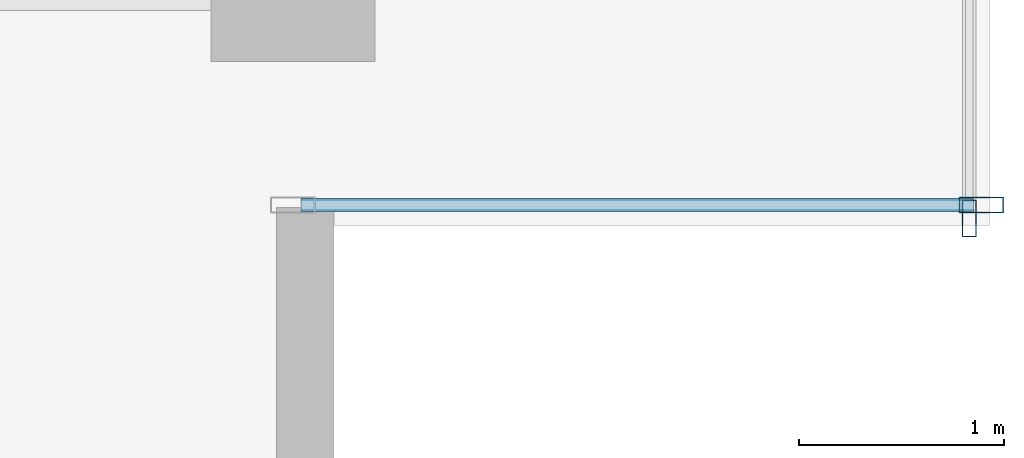
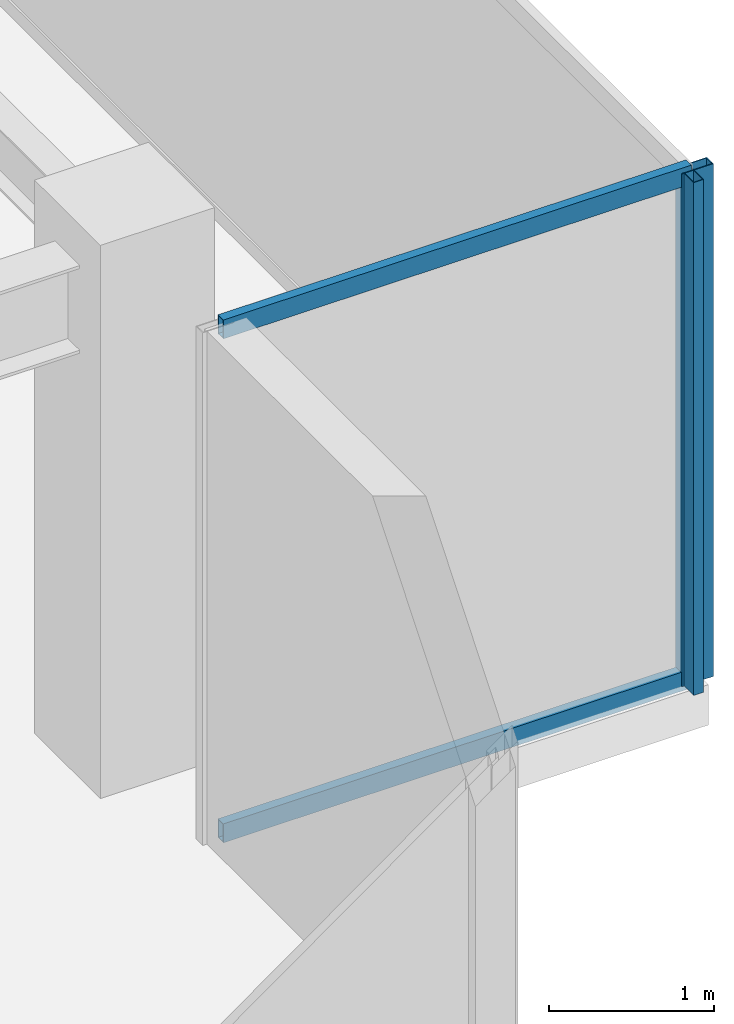
# One storey, part 22 of 33: 4 members, 2 elements without a shape of their own.
"""IFC4 building model written with IfcOpenShell, lengths in metres."""

from ifc_helpers import new_model, si_unit, direction, frame, origin, origin_2d, place, context, subcontext, project, spatial, hollow_rectangle, extrude, source, transform, mapped, material, layer, layer_set, material_profile, profile_set, type_object, type_shapes, element, aggregate, save


model = new_model("IFC4")

# Units and contexts
model_context = context("Model", 3, precision=1e-05, world=origin(), true_north=direction((0.0, 1.0)))
body_context = subcontext(model_context, "Body", "Model", "MODEL_VIEW")
ifc_project = project(units=[si_unit("LENGTHUNIT", "METRE"), si_unit("AREAUNIT", "SQUARE_METRE"), si_unit("VOLUMEUNIT", "CUBIC_METRE"), si_unit("PLANEANGLEUNIT", "RADIAN"), si_unit("MASSUNIT", "GRAM", prefix="KILO")], contexts=[model_context])

# Site, building, storey
site_placement = place(None, origin())
site = spatial("IfcSite", under=ifc_project, at=site_placement, CompositionType="ELEMENT")
building_placement = place(site_placement, origin())
building = spatial("IfcBuilding", under=site, at=building_placement, Name="Haelvirn Gate Laboratories", CompositionType="ELEMENT")
storey_placement = place(building_placement, frame((0.0, 0.0, 209.60009765625)))
storey = spatial("IfcBuildingStorey", under=building, at=storey_placement, Name="L50", CompositionType="ELEMENT", Elevation=209.60009765625)

# Curtain wall, members
ifc_material_1 = material(Name="Anodised bronze unitised aluminium & triple low-E glass", Category="aluminium")
ifc_layer_1 = layer(ifc_material_1, 0.181884765625, Name="CW-SYS-5")
ifc_layer_set_1 = layer_set([ifc_layer_1], Name="Anodised bronze unitised aluminium & triple low-E glass")
curtain_wall_type_1 = type_object("IfcCurtainWallType", Name="CW-SYS-5", PredefinedType="NOTDEFINED", material=ifc_layer_set_1)
curtain_wall_1_placement = place(storey_placement, origin())
curtain_wall_1 = element("IfcCurtainWall", 1, at=curtain_wall_1_placement, inside=storey, type_object=curtain_wall_type_1, Name="L50 Unitised Curtain Wall CW-L50-P0-E06-1", PredefinedType="NOTDEFINED")
ifc_material_2 = material(Name="Extruded aluminium 6063-T6 (anodised bronze)", Category="aluminium")
ifc_material_profile_1 = material_profile(ifc_material_2, hollow_rectangle(XDim=0.06494140625, YDim=0.139892578125, WallThickness=0.00390625, at=origin_2d()), Name="CWT-140x65x4")
ifc_profile_set_1 = profile_set([ifc_material_profile_1], Name="Extruded aluminium 6063-T6 (anodised bronze)")
member_type_1 = type_object("IfcMemberType", Name="CWT-T140", PredefinedType="USERDEFINED", material=ifc_profile_set_1)
shared_shape_1 = source(origin(), body_context, "Body", "SweptSolid", [
    extrude(hollow_rectangle(XDim=0.06494140625, YDim=0.139892578125, WallThickness=0.00390625, at=origin_2d()), origin(), (0.0, 0.0, 1.0), 3.280029296875),
])
type_shapes(member_type_1, [shared_shape_1])
member_1_placement = place(storey_placement, frame((67.43994140625, 5.89990234375, 0.032470703125), z_axis=(1.0, 0.0, 0.0), x_axis=(0.0, 1.0, 0.0)))
member_1 = element("IfcMember", 2, at=member_1_placement, type_object=member_type_1, Name="CW5 transom 1.1", ObjectType="TRANSOM", PredefinedType="USERDEFINED", context=body_context, shape_type="MappedRepresentation", body=[
    mapped(shared_shape_1, transform((0.0, 0.0, 0.0), scale=1.0)),
])
member_2_placement = place(storey_placement, frame((67.43994140625, 5.89990234375, 3.767333984375), z_axis=(1.0, 0.0, 0.0), x_axis=(0.0, 1.0, 0.0)))
member_2 = element("IfcMember", 3, at=member_2_placement, type_object=member_type_1, Name="CW5 transom 1.2", ObjectType="TRANSOM", PredefinedType="USERDEFINED", context=body_context, shape_type="MappedRepresentation", body=[
    mapped(shared_shape_1, transform((0.0, 0.0, 0.0), scale=1.0)),
])

# Curtain wall, member
ifc_layer_2 = layer(ifc_material_1, 0.176025390625, Name="CW-SYS-4")
ifc_layer_set_2 = layer_set([ifc_layer_2], Name="Anodised bronze unitised aluminium & triple low-E glass")
curtain_wall_type_2 = type_object("IfcCurtainWallType", Name="CW-SYS-4", PredefinedType="NOTDEFINED", material=ifc_layer_set_2)
curtain_wall_2_placement = place(storey_placement, origin())
curtain_wall_2 = element("IfcCurtainWall", 4, at=curtain_wall_2_placement, inside=storey, type_object=curtain_wall_type_2, Name="L50 Unitised Curtain Wall CW-L50-P0-E07", PredefinedType="NOTDEFINED")
ifc_material_profile_2 = material_profile(ifc_material_2, hollow_rectangle(XDim=0.070068359375, YDim=0.179931640625, WallThickness=0.0048828125, at=origin_2d()), Name="CWM-180x70x5")
ifc_profile_set_2 = profile_set([ifc_material_profile_2], Name="Extruded aluminium 6063-T6 (anodised bronze)")
member_type_2 = type_object("IfcMemberType", Name="CWM-T180", PredefinedType="MULLION", material=ifc_profile_set_2)
shared_shape_2 = source(origin(), body_context, "Body", "SweptSolid", [
    extrude(hollow_rectangle(XDim=0.070068359375, YDim=0.179931640625, WallThickness=0.0048828125, at=origin_2d()), origin(), (0.0, 0.0, 1.0), 3.7998046875),
])
type_shapes(member_type_2, [shared_shape_2])
member_3_placement = place(storey_placement, frame((70.699951171875, 5.8349609375, 0.0), z_axis=(0.0, 0.0, 1.0), x_axis=(-1.0, 0.0, 0.0)))
member_3 = element("IfcMember", 5, at=member_3_placement, type_object=member_type_2, Name="CW4 mullion 1", PredefinedType="MULLION", context=body_context, shape_type="MappedRepresentation", body=[
    mapped(shared_shape_2, transform((0.0, 0.0, 0.0), scale=1.0)),
])
aggregate(curtain_wall_2, [member_3])

# Member
ifc_material_profile_3 = material_profile(ifc_material_2, hollow_rectangle(XDim=0.080078125, YDim=0.219970703125, WallThickness=0.006103515625, at=origin_2d()), Name="CWM-220x80x6")
ifc_profile_set_3 = profile_set([ifc_material_profile_3], Name="Extruded aluminium 6063-T6 (anodised bronze)")
member_type_3 = type_object("IfcMemberType", Name="CWM-T220", PredefinedType="MULLION", material=ifc_profile_set_3)
shared_shape_3 = source(origin(), body_context, "Body", "SweptSolid", [
    extrude(hollow_rectangle(XDim=0.080078125, YDim=0.219970703125, WallThickness=0.006103515625, at=origin_2d()), origin(), (0.0, 0.0, 1.0), 3.7998046875),
])
type_shapes(member_type_3, [shared_shape_3])
member_4_placement = place(storey_placement, frame((70.760009765625, 5.89990234375, 0.0), z_axis=(0.0, 0.0, 1.0), x_axis=(0.0, 1.0, 0.0)))
member_4 = element("IfcMember", 6, at=member_4_placement, type_object=member_type_3, Name="CW5 mullion 2", PredefinedType="MULLION", context=body_context, shape_type="MappedRepresentation", body=[
    mapped(shared_shape_3, transform((0.0, 0.0, 0.0), scale=1.0)),
])

aggregate(curtain_wall_1, [member_4, member_1, member_2])

save(model, "model.ifc")
